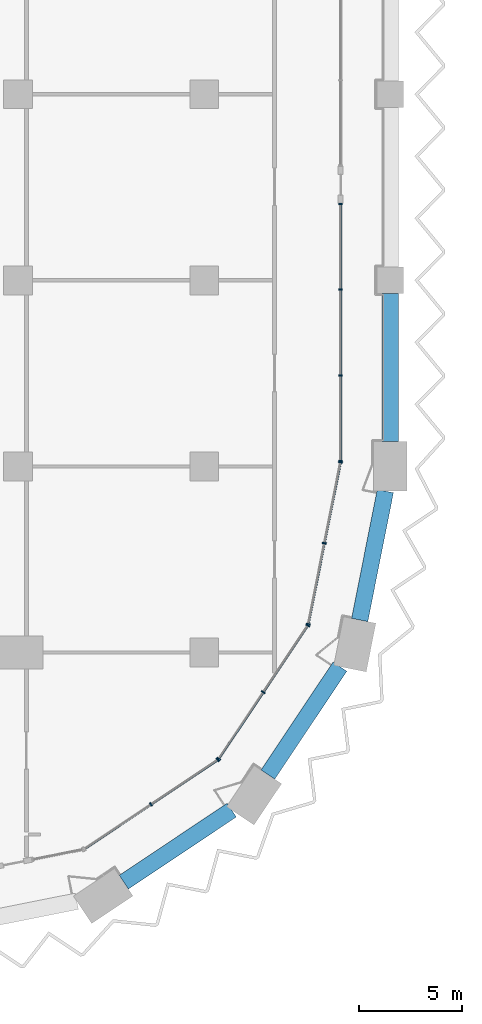
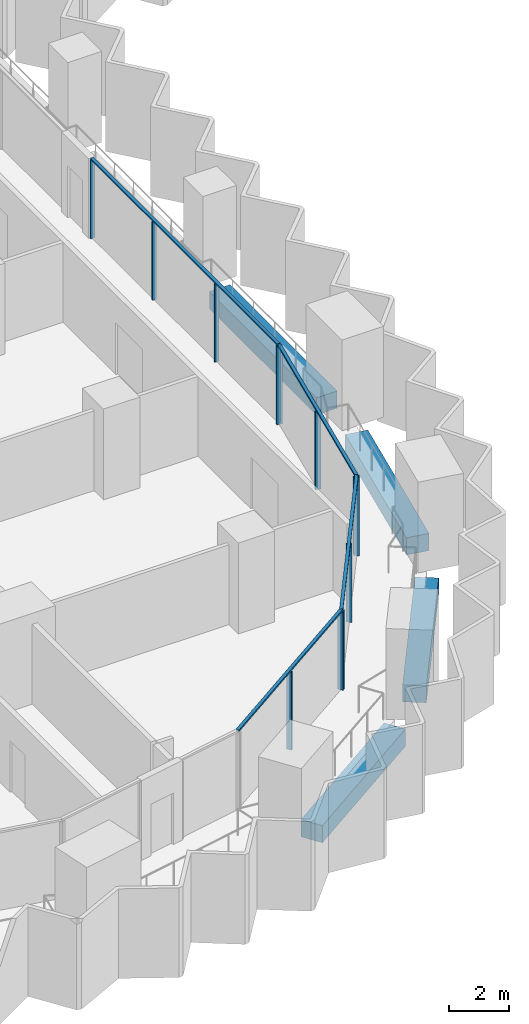
# One storey, part 3 of 28: 16 members, 4 beams, 4 elements without a shape of their own.
"""IFC4 building model written with IfcOpenShell, lengths in metres."""

from ifc_helpers import new_model, si_unit, direction, frame, origin, origin_2d, place, context, subcontext, project, spatial, rectangle, extrude, material, material_profile, profile_set, type_object, element, aggregate, save


model = new_model("IFC4")

# Units and contexts
model_context = context("Model", 3, precision=1e-05, world=origin(), true_north=direction((0.0, 1.0)))
body_context = subcontext(model_context, "Body", "Model", "MODEL_VIEW")
ifc_project = project(units=[si_unit("LENGTHUNIT", "METRE"), si_unit("AREAUNIT", "SQUARE_METRE"), si_unit("VOLUMEUNIT", "CUBIC_METRE"), si_unit("PLANEANGLEUNIT", "RADIAN"), si_unit("MASSUNIT", "GRAM", prefix="KILO")], contexts=[model_context])

# Site, building, storey
site_placement = place(None, origin())
site = spatial("IfcSite", under=ifc_project, at=site_placement, CompositionType="ELEMENT")
building_placement = place(site_placement, origin())
building = spatial("IfcBuilding", under=site, at=building_placement, Name="Hunhe Ridgeline Campus", CompositionType="ELEMENT")
storey_placement = place(building_placement, frame((0.0, 0.0, 76.5)))
storey = spatial("IfcBuildingStorey", under=building, at=storey_placement, Name="L18", CompositionType="ELEMENT", Elevation=76.5)

# Curtain wall, members
ifc_material_1 = material(Name="Aluminium 6063", Category="aluminium")
curtain_wall_type_1 = type_object("IfcCurtainWallType", Name="Curtain wall CW-1", PredefinedType="NOTDEFINED", material=ifc_material_1)
curtain_wall_1_placement = place(storey_placement, origin())
curtain_wall_1 = element("IfcCurtainWall", 1, at=curtain_wall_1_placement, inside=storey, type_object=curtain_wall_type_1, Name="Curtain wall 11", PredefinedType="NOTDEFINED")
ifc_material_profile_1 = material_profile(ifc_material_1, rectangle(XDim=0.159912109375, YDim=0.06005859375, at=origin_2d()))
ifc_profile_set_1 = profile_set([ifc_material_profile_1], Name="Aluminium 6063")
member_type_1 = type_object("IfcMemberType", Name="CW-1 aluminium mullion", PredefinedType="MULLION", material=ifc_profile_set_1)
member_1_placement = place(storey_placement, frame((42.59912109375, 27.266357421875, 0.0), z_axis=(0.0, 0.0, 1.0), x_axis=(-1.0, 1.60239e-07, 0.0)))
member_1 = element("IfcMember", 2, at=member_1_placement, type_object=member_type_1, Name="CW-1 mullion 1", PredefinedType="MULLION", context=body_context, shape_type="SweptSolid", body=[
    extrude(rectangle(XDim=0.159912109375, YDim=0.06005859375, at=origin_2d()), origin(), (0.0, 0.0, 1.0), 3.18994140625),
])
member_2_placement = place(storey_placement, frame((42.59912109375, 31.39697265625, 0.0), z_axis=(0.0, 0.0, 1.0), x_axis=(-1.0, 1.60239e-07, 0.0)))
member_2 = element("IfcMember", 3, at=member_2_placement, type_object=member_type_1, Name="CW-1 mullion 2", PredefinedType="MULLION", context=body_context, shape_type="SweptSolid", body=[
    extrude(rectangle(XDim=0.159912109375, YDim=0.06005859375, at=origin_2d()), origin(), (0.0, 0.0, 1.0), 3.18994140625),
])
member_3_placement = place(storey_placement, frame((42.59912109375, 35.5576171875, 0.0), z_axis=(0.0, 0.0, 1.0), x_axis=(-1.0, 1.60239e-07, 0.0)))
member_3 = element("IfcMember", 4, at=member_3_placement, type_object=member_type_1, Name="CW-1 mullion 3", PredefinedType="MULLION", context=body_context, shape_type="SweptSolid", body=[
    extrude(rectangle(XDim=0.159912109375, YDim=0.06005859375, at=origin_2d()), origin(), (0.0, 0.0, 1.0), 3.18994140625),
])
member_4_placement = place(storey_placement, frame((42.59912109375, 39.688232421875, 0.0), z_axis=(0.0, 0.0, 1.0), x_axis=(-1.0, 1.60239e-07, 0.0)))
member_4 = element("IfcMember", 5, at=member_4_placement, type_object=member_type_1, Name="CW-1 mullion 4", PredefinedType="MULLION", context=body_context, shape_type="SweptSolid", body=[
    extrude(rectangle(XDim=0.159912109375, YDim=0.06005859375, at=origin_2d()), origin(), (0.0, 0.0, 1.0), 3.18994140625),
])
ifc_material_profile_2 = material_profile(ifc_material_1, rectangle(XDim=0.1201171875, YDim=0.06005859375, at=origin_2d()))
ifc_profile_set_2 = profile_set([ifc_material_profile_2], Name="Aluminium 6063")
member_type_2 = type_object("IfcMemberType", Name="CW-1 aluminium transom", PredefinedType="USERDEFINED", material=ifc_profile_set_2)
member_5_placement = place(storey_placement, frame((42.59912109375, 27.236572265625, 3.219970703125), z_axis=(0.0, 1.0, 0.0), x_axis=(-1.0, 0.0, 0.0)))
member_5 = element("IfcMember", 6, at=member_5_placement, type_object=member_type_2, Name="CW-1 transom 1", ObjectType="TRANSOM", PredefinedType="USERDEFINED", context=body_context, shape_type="SweptSolid", body=[
    extrude(rectangle(XDim=0.1201171875, YDim=0.06005859375, at=origin_2d()), origin(), (0.0, 0.0, 1.0), 12.481689453125),
])
aggregate(curtain_wall_1, [member_5, member_1, member_2, member_3, member_4])

curtain_wall_type_2 = type_object("IfcCurtainWallType", Name="Curtain wall CW-5", PredefinedType="NOTDEFINED", material=ifc_material_1)
curtain_wall_2_placement = place(storey_placement, origin())
curtain_wall_2 = element("IfcCurtainWall", 7, at=curtain_wall_2_placement, inside=storey, type_object=curtain_wall_type_2, Name="Curtain wall 08", PredefinedType="NOTDEFINED")
ifc_material_profile_3 = material_profile(ifc_material_1, rectangle(XDim=0.199951171875, YDim=0.070068359375, at=origin_2d()))
ifc_profile_set_3 = profile_set([ifc_material_profile_3], Name="Aluminium 6063")
member_type_3 = type_object("IfcMemberType", Name="CW-5 aluminium mullion", PredefinedType="MULLION", material=ifc_profile_set_3)
member_6_placement = place(storey_placement, frame((33.42626953125, 10.647705078125, 0.0), z_axis=(0.0, 0.0, 1.0), x_axis=(-0.555570274596, 0.831469584522, 0.0)))
member_6 = element("IfcMember", 8, at=member_6_placement, type_object=member_type_3, Name="CW-5 mullion 2", PredefinedType="MULLION", context=body_context, shape_type="SweptSolid", body=[
    extrude(rectangle(XDim=0.199951171875, YDim=0.070068359375, at=origin_2d()), origin(), (0.0, 0.0, 1.0), 3.179931640625),
])
member_7_placement = place(storey_placement, frame((36.649658203125, 12.8017578125, 0.0), z_axis=(0.0, 0.0, 1.0), x_axis=(-0.555570274596, 0.831469584522, 0.0)))
member_7 = element("IfcMember", 9, at=member_7_placement, type_object=member_type_3, Name="CW-5 mullion 3", PredefinedType="MULLION", context=body_context, shape_type="SweptSolid", body=[
    extrude(rectangle(XDim=0.199951171875, YDim=0.070068359375, at=origin_2d()), origin(), (0.0, 0.0, 1.0), 3.179931640625),
])

curtain_wall_3_placement = place(storey_placement, origin())
curtain_wall_3 = element("IfcCurtainWall", 10, at=curtain_wall_3_placement, inside=storey, type_object=curtain_wall_type_2, Name="Curtain wall 09", PredefinedType="NOTDEFINED")
member_8_placement = place(storey_placement, frame((36.6982421875, 12.850341796875, 0.0), z_axis=(0.0, 0.0, 1.0), x_axis=(-0.831469584522, 0.555570274596, 0.0)))
member_8 = element("IfcMember", 11, at=member_8_placement, type_object=member_type_3, Name="CW-5 mullion 1", PredefinedType="MULLION", context=body_context, shape_type="SweptSolid", body=[
    extrude(rectangle(XDim=0.199951171875, YDim=0.070068359375, at=origin_2d()), origin(), (0.0, 0.0, 1.0), 3.179931640625),
])
member_9_placement = place(storey_placement, frame((38.852294921875, 16.07373046875, 0.0), z_axis=(0.0, 0.0, 1.0), x_axis=(-0.831469584522, 0.555570274596, 0.0)))
member_9 = element("IfcMember", 12, at=member_9_placement, type_object=member_type_3, Name="CW-5 mullion 2", PredefinedType="MULLION", context=body_context, shape_type="SweptSolid", body=[
    extrude(rectangle(XDim=0.199951171875, YDim=0.070068359375, at=origin_2d()), origin(), (0.0, 0.0, 1.0), 3.179931640625),
])
member_10_placement = place(storey_placement, frame((41.006103515625, 19.29736328125, 0.0), z_axis=(0.0, 0.0, 1.0), x_axis=(-0.831469584522, 0.555570274596, 0.0)))
member_10 = element("IfcMember", 13, at=member_10_placement, type_object=member_type_3, Name="CW-5 mullion 3", PredefinedType="MULLION", context=body_context, shape_type="SweptSolid", body=[
    extrude(rectangle(XDim=0.199951171875, YDim=0.070068359375, at=origin_2d()), origin(), (0.0, 0.0, 1.0), 3.179931640625),
])

curtain_wall_4_placement = place(storey_placement, origin())
curtain_wall_4 = element("IfcCurtainWall", 14, at=curtain_wall_4_placement, inside=storey, type_object=curtain_wall_type_2, Name="Curtain wall 10", PredefinedType="NOTDEFINED")
member_11_placement = place(storey_placement, frame((41.032470703125, 19.36083984375, 0.0), z_axis=(0.0, 0.0, 1.0), x_axis=(-0.980785284939, 0.195090299215, 0.0)))
member_11 = element("IfcMember", 15, at=member_11_placement, type_object=member_type_3, Name="CW-5 mullion 1", PredefinedType="MULLION", context=body_context, shape_type="SweptSolid", body=[
    extrude(rectangle(XDim=0.199951171875, YDim=0.070068359375, at=origin_2d()), origin(), (0.0, 0.0, 1.0), 3.179931640625),
])
member_12_placement = place(storey_placement, frame((41.812255859375, 23.281494140625, 0.0), z_axis=(0.0, 0.0, 1.0), x_axis=(-0.980785284939, 0.195090299215, 0.0)))
member_12 = element("IfcMember", 16, at=member_12_placement, type_object=member_type_3, Name="CW-5 mullion 2", PredefinedType="MULLION", context=body_context, shape_type="SweptSolid", body=[
    extrude(rectangle(XDim=0.199951171875, YDim=0.070068359375, at=origin_2d()), origin(), (0.0, 0.0, 1.0), 3.179931640625),
])
member_13_placement = place(storey_placement, frame((42.59228515625, 27.2021484375, 0.0), z_axis=(0.0, 0.0, 1.0), x_axis=(-0.980785284939, 0.195090299215, 0.0)))
member_13 = element("IfcMember", 17, at=member_13_placement, type_object=member_type_3, Name="CW-5 mullion 3", PredefinedType="MULLION", context=body_context, shape_type="SweptSolid", body=[
    extrude(rectangle(XDim=0.199951171875, YDim=0.070068359375, at=origin_2d()), origin(), (0.0, 0.0, 1.0), 3.179931640625),
])

# Member
ifc_material_profile_4 = material_profile(ifc_material_1, rectangle(XDim=0.1201171875, YDim=0.070068359375, at=origin_2d()))
ifc_profile_set_4 = profile_set([ifc_material_profile_4], Name="Aluminium 6063")
member_type_4 = type_object("IfcMemberType", Name="CW-5 aluminium transom", PredefinedType="USERDEFINED", material=ifc_profile_set_4)
member_14_placement = place(storey_placement, frame((30.173583984375, 8.474365234375, 3.215087890625), z_axis=(0.831473763475, 0.5555640203, 0.0), x_axis=(-0.5555640203, 0.831473763475, 0.0)))
member_14 = element("IfcMember", 18, at=member_14_placement, type_object=member_type_4, Name="CW-5 transom 1", ObjectType="TRANSOM", PredefinedType="USERDEFINED", context=body_context, shape_type="SweptSolid", body=[
    extrude(rectangle(XDim=0.1201171875, YDim=0.070068359375, at=origin_2d()), origin(), (0.0, 0.0, 1.0), 7.823974609375),
])

aggregate(curtain_wall_2, [member_14, member_6, member_7])

member_15_placement = place(storey_placement, frame((36.678955078125, 12.821044921875, 3.215087890625), z_axis=(0.5555640203, 0.831473763475, 0.0), x_axis=(-0.831473763475, 0.5555640203, 0.0)))
member_15 = element("IfcMember", 19, at=member_15_placement, type_object=member_type_4, Name="CW-5 transom 1", ObjectType="TRANSOM", PredefinedType="USERDEFINED", context=body_context, shape_type="SweptSolid", body=[
    extrude(rectangle(XDim=0.1201171875, YDim=0.070068359375, at=origin_2d()), origin(), (0.0, 0.0, 1.0), 7.823974609375),
])

aggregate(curtain_wall_3, [member_15, member_8, member_9, member_10])

member_16_placement = place(storey_placement, frame((41.025634765625, 19.326416015625, 3.215087890625), z_axis=(0.195097290093, 0.980783894341, 0.0), x_axis=(-0.980783894341, 0.195097290093, 0.0)))
member_16 = element("IfcMember", 20, at=member_16_placement, type_object=member_type_4, Name="CW-5 transom 1", ObjectType="TRANSOM", PredefinedType="USERDEFINED", context=body_context, shape_type="SweptSolid", body=[
    extrude(rectangle(XDim=0.1201171875, YDim=0.070068359375, at=origin_2d()), origin(), (0.0, 0.0, 1.0), 8.065185546875),
])

aggregate(curtain_wall_4, [member_16, member_11, member_12, member_13])

# Beams
ifc_material_2 = material(Name="Concrete C60", Category="concrete")
ifc_material_profile_5 = material_profile(ifc_material_2, rectangle(XDim=0.800048828125, YDim=0.699951171875, at=origin_2d()))
ifc_profile_set_5 = profile_set([ifc_material_profile_5], Name="Concrete C60")
beam_type = type_object("IfcBeamType", Name="RC spandrel beam 800x700 Concrete C60", PredefinedType="SPANDREL", material=ifc_profile_set_5)
for number, where, z_axis, x_axis, name in (
    (21, (32.108154296875, 6.87939453125, -0.60009765625), (0.831469696846, 0.555570106491, 0.0), (-0.555570106491, 0.831469696846, 0.0), "Spandrel beam B1-6 L18"),
    (22, (39.07666015625, 12.087890625, -0.60009765625), (0.555570106491, 0.831469696846, 0.0), (-0.831469696846, 0.555570106491, 0.0), "Spandrel beam B1-7 L18"),
):
    element("IfcBeam", number, at=place(storey_placement, frame(where, z_axis=z_axis, x_axis=x_axis)), inside=storey, type_object=beam_type, Name=name, PredefinedType="SPANDREL", context=body_context, shape_type="SweptSolid", body=[
        extrude(rectangle(XDim=0.800048828125, YDim=0.699951171875, at=origin_2d()), origin(), (0.0, 0.0, 1.0), 6.280029296875),
    ])
beam_1_placement = place(storey_placement, frame((43.521484375, 19.566650390625, -0.60009765625), z_axis=(0.195067021304, 0.980789914915, 0.0), x_axis=(-0.980789914915, 0.195067021304, 0.0)))
element("IfcBeam", 23, at=beam_1_placement, inside=storey, type_object=beam_type, Name="Spandrel beam B1-8 L18", PredefinedType="SPANDREL", context=body_context, shape_type="SweptSolid", body=[
    extrude(rectangle(XDim=0.800048828125, YDim=0.699951171875, at=origin_2d()), origin(), (0.0, 0.0, 1.0), 6.35546875),
])
beam_2_placement = place(storey_placement, frame((45.0, 28.199951171875, -0.60009765625), z_axis=(0.0, 1.0, 0.0), x_axis=(-1.0, 0.0, 0.0)))
element("IfcBeam", 24, at=beam_2_placement, inside=storey, type_object=beam_type, Name="Spandrel beam B1-9 L18", PredefinedType="SPANDREL", context=body_context, shape_type="SweptSolid", body=[
    extrude(rectangle(XDim=0.800048828125, YDim=0.699951171875, at=origin_2d()), origin(), (0.0, 0.0, 1.0), 7.150146484375),
])

save(model, "model.ifc")
